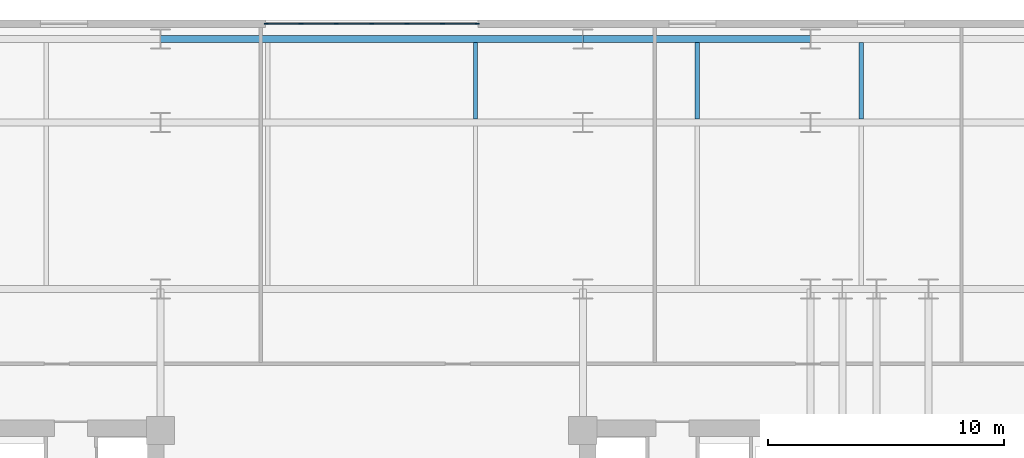
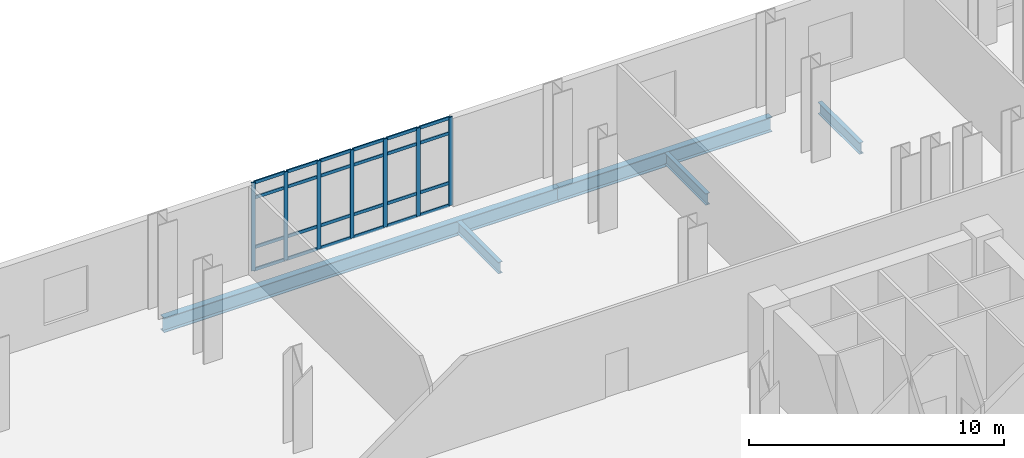
# One storey, part 5 of 13: 31 members, 5 beams, 1 element without a shape of its own.
"""IFC4 building model written with IfcOpenShell, lengths in metres."""

from ifc_helpers import new_model, si_unit, direction, frame, origin, origin_2d, place, context, subcontext, project, spatial, rectangle, i_section, extrude, material, layer, layer_set, material_profile, profile_set, type_object, element, aggregate, save


model = new_model("IFC4")

# Units and contexts
model_context = context("Model", 3, precision=1e-05, world=origin(), true_north=direction((0.0, 1.0)))
body_context = subcontext(model_context, "Body", "Model", "MODEL_VIEW")
ifc_project = project(units=[si_unit("LENGTHUNIT", "METRE"), si_unit("AREAUNIT", "SQUARE_METRE"), si_unit("VOLUMEUNIT", "CUBIC_METRE"), si_unit("PLANEANGLEUNIT", "RADIAN"), si_unit("MASSUNIT", "GRAM", prefix="KILO")], contexts=[model_context])

# Site, building, storey
site_placement = place(None, origin())
site = spatial("IfcSite", under=ifc_project, at=site_placement, CompositionType="ELEMENT")
building_placement = place(site_placement, origin())
building = spatial("IfcBuilding", under=site, at=building_placement, Name="Velakula Bourse", CompositionType="ELEMENT")
storey_placement = place(building_placement, frame((0.0, 0.0, 9.60009765625)))
storey = spatial("IfcBuildingStorey", under=building, at=storey_placement, Name="L02", CompositionType="ELEMENT", Elevation=9.60009765625)

# Beams
ifc_material_1 = material(Name="Steel IS 2062 Grade 350 (E350)", Category="steel")
ifc_material_profile_1 = material_profile(ifc_material_1, i_section(OverallWidth=0.300048828125, OverallDepth=0.699951171875, WebThickness=0.01611328125, FlangeThickness=0.02490234375, at=origin_2d()), Name="Steel IS 2062 Grade 350 (E350)")
ifc_profile_set_1 = profile_set([ifc_material_profile_1], Name="Steel IS 2062 Grade 350 (E350)")
beam_type_1 = type_object("IfcBeamType", Name="BM-POD-700", PredefinedType="BEAM", material=ifc_profile_set_1)
beam_1_placement = place(storey_placement, frame((-8.949951171875, 25.199951171875, -0.60009765625), z_axis=(1.0, 0.0, 0.0), x_axis=(0.0, 1.0, 0.0)))
element("IfcBeam", 1, at=beam_1_placement, inside=storey, type_object=beam_type_1, Name="L02 Podium E-W Girder 60", PredefinedType="BEAM", context=body_context, shape_type="SweptSolid", body=[
    extrude(i_section(OverallWidth=0.300048828125, OverallDepth=0.699951171875, WebThickness=0.01611328125, FlangeThickness=0.02490234375, at=origin_2d()), origin(), (0.0, 0.0, 1.0), 17.89990234375),
])
beam_2_placement = place(storey_placement, frame((8.949951171875, 25.199951171875, -0.60009765625), z_axis=(1.0, 0.0, 0.0), x_axis=(0.0, 1.0, 0.0)))
element("IfcBeam", 2, at=beam_2_placement, inside=storey, type_object=beam_type_1, Name="L02 Podium E-W Girder 61", PredefinedType="BEAM", context=body_context, shape_type="SweptSolid", body=[
    extrude(i_section(OverallWidth=0.300048828125, OverallDepth=0.699951171875, WebThickness=0.01611328125, FlangeThickness=0.02490234375, at=origin_2d()), origin(), (0.0, 0.0, 1.0), 9.650146484375),
])
ifc_material_profile_2 = material_profile(ifc_material_1, i_section(OverallWidth=0.18994140625, OverallDepth=0.550048828125, WebThickness=0.01123046875, FlangeThickness=0.019287109375, at=origin_2d()), Name="Steel IS 2062 Grade 350 (E350)")
ifc_profile_set_2 = profile_set([ifc_material_profile_2], Name="Steel IS 2062 Grade 350 (E350)")
beam_type_2 = type_object("IfcBeamType", Name="JST-POD-550", PredefinedType="JOIST", material=ifc_profile_set_2)
for number, where, z_axis, x_axis, name in (
    (3, (4.39990234375, 21.800048828125, -0.525146484375), (0.0, 1.0, 0.0), (-1.0, 0.0, 0.0), "L02 Station Podium Floor Joist 20"),
    (4, (13.800048828125, 21.800048828125, -0.525146484375), (0.0, 1.0, 0.0), (-1.0, 0.0, 0.0), "L02 Station Podium Floor Joist 24"),
    (5, (20.75, 21.800048828125, -0.525146484375), (0.0, 1.0, 0.0), (-1.0, 0.0, 0.0), "L02 Station Podium Floor Joist 28"),
):
    element("IfcBeam", number, at=place(storey_placement, frame(where, z_axis=z_axis, x_axis=x_axis)), inside=storey, type_object=beam_type_2, Name=name, PredefinedType="JOIST", context=body_context, shape_type="SweptSolid", body=[
        extrude(i_section(OverallWidth=0.18994140625, OverallDepth=0.550048828125, WebThickness=0.01123046875, FlangeThickness=0.019287109375, at=origin_2d()), origin(), (0.0, 0.0, 1.0), 3.25),
    ])

# Curtain wall, members
ifc_material_2 = material(Name="Anodised bronze architectural aluminium", Category="aluminium")
ifc_layer = layer(ifc_material_2, 0.179931640625, Name="Anodised bronze architectural aluminium", Category="aluminium")
ifc_layer_set = layer_set([ifc_layer], Name="Anodised bronze architectural aluminium")
curtain_wall_type = type_object("IfcCurtainWallType", Name="CW-PD1", PredefinedType="NOTDEFINED", material=ifc_layer_set)
curtain_wall_placement = place(storey_placement, origin())
curtain_wall = element("IfcCurtainWall", 6, at=curtain_wall_placement, inside=storey, type_object=curtain_wall_type, Name="L02 North Station Galleria Curtain Wall 2", PredefinedType="NOTDEFINED")
ifc_material_profile_3 = material_profile(ifc_material_2, rectangle(XDim=0.06005859375, YDim=0.179931640625, at=origin_2d()), Name="Anodised bronze architectural aluminium")
ifc_profile_set_3 = profile_set([ifc_material_profile_3], Name="Anodised bronze architectural aluminium")
member_type_1 = type_object("IfcMemberType", Name="MUL-CW-PD1", PredefinedType="MULLION", material=ifc_profile_set_3)
member_1_placement = place(storey_placement, frame((-4.469970703125, 25.840087890625, 0.0), z_axis=(0.0, 0.0, 1.0), x_axis=(0.0, 1.0, 0.0)))
member_1 = element("IfcMember", 7, at=member_1_placement, type_object=member_type_1, Name="CW-PD1 mullion 1", PredefinedType="MULLION", context=body_context, shape_type="SweptSolid", body=[
    extrude(rectangle(XDim=0.06005859375, YDim=0.179931640625, at=origin_2d()), origin(), (0.0, 0.0, 1.0), 4.22998046875),
])
member_2_placement = place(storey_placement, frame((-3.0, 25.840087890625, 0.0), z_axis=(0.0, 0.0, 1.0), x_axis=(0.0, 1.0, 0.0)))
member_2 = element("IfcMember", 8, at=member_2_placement, type_object=member_type_1, Name="CW-PD1 mullion 2", PredefinedType="MULLION", context=body_context, shape_type="SweptSolid", body=[
    extrude(rectangle(XDim=0.06005859375, YDim=0.179931640625, at=origin_2d()), origin(), (0.0, 0.0, 1.0), 4.22998046875),
])
member_3_placement = place(storey_placement, frame((-1.5, 25.840087890625, 0.0), z_axis=(0.0, 0.0, 1.0), x_axis=(0.0, 1.0, 0.0)))
member_3 = element("IfcMember", 9, at=member_3_placement, type_object=member_type_1, Name="CW-PD1 mullion 3", PredefinedType="MULLION", context=body_context, shape_type="SweptSolid", body=[
    extrude(rectangle(XDim=0.06005859375, YDim=0.179931640625, at=origin_2d()), origin(), (0.0, 0.0, 1.0), 4.22998046875),
])
member_4_placement = place(storey_placement, frame((0.0, 25.840087890625, 0.0), z_axis=(0.0, 0.0, 1.0), x_axis=(0.0, 1.0, 0.0)))
member_4 = element("IfcMember", 10, at=member_4_placement, type_object=member_type_1, Name="CW-PD1 mullion 4", PredefinedType="MULLION", context=body_context, shape_type="SweptSolid", body=[
    extrude(rectangle(XDim=0.06005859375, YDim=0.179931640625, at=origin_2d()), origin(), (0.0, 0.0, 1.0), 4.22998046875),
])
member_5_placement = place(storey_placement, frame((1.5, 25.840087890625, 0.0), z_axis=(0.0, 0.0, 1.0), x_axis=(0.0, 1.0, 0.0)))
member_5 = element("IfcMember", 11, at=member_5_placement, type_object=member_type_1, Name="CW-PD1 mullion 5", PredefinedType="MULLION", context=body_context, shape_type="SweptSolid", body=[
    extrude(rectangle(XDim=0.06005859375, YDim=0.179931640625, at=origin_2d()), origin(), (0.0, 0.0, 1.0), 4.22998046875),
])
member_6_placement = place(storey_placement, frame((3.0, 25.840087890625, 0.0), z_axis=(0.0, 0.0, 1.0), x_axis=(0.0, 1.0, 0.0)))
member_6 = element("IfcMember", 12, at=member_6_placement, type_object=member_type_1, Name="CW-PD1 mullion 6", PredefinedType="MULLION", context=body_context, shape_type="SweptSolid", body=[
    extrude(rectangle(XDim=0.06005859375, YDim=0.179931640625, at=origin_2d()), origin(), (0.0, 0.0, 1.0), 4.22998046875),
])
member_7_placement = place(storey_placement, frame((4.469970703125, 25.840087890625, 0.0), z_axis=(0.0, 0.0, 1.0), x_axis=(0.0, 1.0, 0.0)))
member_7 = element("IfcMember", 13, at=member_7_placement, type_object=member_type_1, Name="CW-PD1 mullion 7", PredefinedType="MULLION", context=body_context, shape_type="SweptSolid", body=[
    extrude(rectangle(XDim=0.06005859375, YDim=0.179931640625, at=origin_2d()), origin(), (0.0, 0.0, 1.0), 4.22998046875),
])
ifc_material_profile_4 = material_profile(ifc_material_2, rectangle(XDim=0.06005859375, YDim=0.14990234375, at=origin_2d()), Name="Anodised bronze architectural aluminium")
ifc_profile_set_4 = profile_set([ifc_material_profile_4], Name="Anodised bronze architectural aluminium")
member_type_2 = type_object("IfcMemberType", Name="TRN-CW-PD1", PredefinedType="USERDEFINED", material=ifc_profile_set_4)
member_8_placement = place(storey_placement, frame((-4.43994140625, 25.840087890625, 0.02978515625), z_axis=(1.0, 0.0, 0.0), x_axis=(0.0, 1.0, 0.0)))
member_8 = element("IfcMember", 14, at=member_8_placement, type_object=member_type_2, Name="CW-PD1 transom 1.1", ObjectType="TRANSOM", PredefinedType="USERDEFINED", context=body_context, shape_type="SweptSolid", body=[
    extrude(rectangle(XDim=0.06005859375, YDim=0.14990234375, at=origin_2d()), origin(), (0.0, 0.0, 1.0), 1.409912109375),
])
member_9_placement = place(storey_placement, frame((-4.43994140625, 25.840087890625, 1.099853515625), z_axis=(1.0, 0.0, 0.0), x_axis=(0.0, 1.0, 0.0)))
member_9 = element("IfcMember", 15, at=member_9_placement, type_object=member_type_2, Name="CW-PD1 transom 1.2", ObjectType="TRANSOM", PredefinedType="USERDEFINED", context=body_context, shape_type="SweptSolid", body=[
    extrude(rectangle(XDim=0.06005859375, YDim=0.14990234375, at=origin_2d()), origin(), (0.0, 0.0, 1.0), 1.409912109375),
])
member_10_placement = place(storey_placement, frame((-4.43994140625, 25.840087890625, 3.47998046875), z_axis=(1.0, 0.0, 0.0), x_axis=(0.0, 1.0, 0.0)))
member_10 = element("IfcMember", 16, at=member_10_placement, type_object=member_type_2, Name="CW-PD1 transom 1.3", ObjectType="TRANSOM", PredefinedType="USERDEFINED", context=body_context, shape_type="SweptSolid", body=[
    extrude(rectangle(XDim=0.06005859375, YDim=0.14990234375, at=origin_2d()), origin(), (0.0, 0.0, 1.0), 1.409912109375),
])
member_11_placement = place(storey_placement, frame((-4.43994140625, 25.840087890625, 4.199951171875), z_axis=(1.0, 0.0, 0.0), x_axis=(0.0, 1.0, 0.0)))
member_11 = element("IfcMember", 17, at=member_11_placement, type_object=member_type_2, Name="CW-PD1 transom 1.4", ObjectType="TRANSOM", PredefinedType="USERDEFINED", context=body_context, shape_type="SweptSolid", body=[
    extrude(rectangle(XDim=0.06005859375, YDim=0.14990234375, at=origin_2d()), origin(), (0.0, 0.0, 1.0), 1.409912109375),
])
member_12_placement = place(storey_placement, frame((-2.969970703125, 25.840087890625, 0.02978515625), z_axis=(1.0, 0.0, 0.0), x_axis=(0.0, 1.0, 0.0)))
member_12 = element("IfcMember", 18, at=member_12_placement, type_object=member_type_2, Name="CW-PD1 transom 2.1", ObjectType="TRANSOM", PredefinedType="USERDEFINED", context=body_context, shape_type="SweptSolid", body=[
    extrude(rectangle(XDim=0.06005859375, YDim=0.14990234375, at=origin_2d()), origin(), (0.0, 0.0, 1.0), 1.43994140625),
])
member_13_placement = place(storey_placement, frame((-2.969970703125, 25.840087890625, 1.099853515625), z_axis=(1.0, 0.0, 0.0), x_axis=(0.0, 1.0, 0.0)))
member_13 = element("IfcMember", 19, at=member_13_placement, type_object=member_type_2, Name="CW-PD1 transom 2.2", ObjectType="TRANSOM", PredefinedType="USERDEFINED", context=body_context, shape_type="SweptSolid", body=[
    extrude(rectangle(XDim=0.06005859375, YDim=0.14990234375, at=origin_2d()), origin(), (0.0, 0.0, 1.0), 1.43994140625),
])
member_14_placement = place(storey_placement, frame((-2.969970703125, 25.840087890625, 3.47998046875), z_axis=(1.0, 0.0, 0.0), x_axis=(0.0, 1.0, 0.0)))
member_14 = element("IfcMember", 20, at=member_14_placement, type_object=member_type_2, Name="CW-PD1 transom 2.3", ObjectType="TRANSOM", PredefinedType="USERDEFINED", context=body_context, shape_type="SweptSolid", body=[
    extrude(rectangle(XDim=0.06005859375, YDim=0.14990234375, at=origin_2d()), origin(), (0.0, 0.0, 1.0), 1.43994140625),
])
member_15_placement = place(storey_placement, frame((-2.969970703125, 25.840087890625, 4.199951171875), z_axis=(1.0, 0.0, 0.0), x_axis=(0.0, 1.0, 0.0)))
member_15 = element("IfcMember", 21, at=member_15_placement, type_object=member_type_2, Name="CW-PD1 transom 2.4", ObjectType="TRANSOM", PredefinedType="USERDEFINED", context=body_context, shape_type="SweptSolid", body=[
    extrude(rectangle(XDim=0.06005859375, YDim=0.14990234375, at=origin_2d()), origin(), (0.0, 0.0, 1.0), 1.43994140625),
])
member_16_placement = place(storey_placement, frame((-1.469970703125, 25.840087890625, 0.02978515625), z_axis=(1.0, 0.0, 0.0), x_axis=(0.0, 1.0, 0.0)))
member_16 = element("IfcMember", 22, at=member_16_placement, type_object=member_type_2, Name="CW-PD1 transom 3.1", ObjectType="TRANSOM", PredefinedType="USERDEFINED", context=body_context, shape_type="SweptSolid", body=[
    extrude(rectangle(XDim=0.06005859375, YDim=0.14990234375, at=origin_2d()), origin(), (0.0, 0.0, 1.0), 1.43994140625),
])
member_17_placement = place(storey_placement, frame((-1.469970703125, 25.840087890625, 1.099853515625), z_axis=(1.0, 0.0, 0.0), x_axis=(0.0, 1.0, 0.0)))
member_17 = element("IfcMember", 23, at=member_17_placement, type_object=member_type_2, Name="CW-PD1 transom 3.2", ObjectType="TRANSOM", PredefinedType="USERDEFINED", context=body_context, shape_type="SweptSolid", body=[
    extrude(rectangle(XDim=0.06005859375, YDim=0.14990234375, at=origin_2d()), origin(), (0.0, 0.0, 1.0), 1.43994140625),
])
member_18_placement = place(storey_placement, frame((-1.469970703125, 25.840087890625, 3.47998046875), z_axis=(1.0, 0.0, 0.0), x_axis=(0.0, 1.0, 0.0)))
member_18 = element("IfcMember", 24, at=member_18_placement, type_object=member_type_2, Name="CW-PD1 transom 3.3", ObjectType="TRANSOM", PredefinedType="USERDEFINED", context=body_context, shape_type="SweptSolid", body=[
    extrude(rectangle(XDim=0.06005859375, YDim=0.14990234375, at=origin_2d()), origin(), (0.0, 0.0, 1.0), 1.43994140625),
])
member_19_placement = place(storey_placement, frame((-1.469970703125, 25.840087890625, 4.199951171875), z_axis=(1.0, 0.0, 0.0), x_axis=(0.0, 1.0, 0.0)))
member_19 = element("IfcMember", 25, at=member_19_placement, type_object=member_type_2, Name="CW-PD1 transom 3.4", ObjectType="TRANSOM", PredefinedType="USERDEFINED", context=body_context, shape_type="SweptSolid", body=[
    extrude(rectangle(XDim=0.06005859375, YDim=0.14990234375, at=origin_2d()), origin(), (0.0, 0.0, 1.0), 1.43994140625),
])
member_20_placement = place(storey_placement, frame((0.030029296875, 25.840087890625, 0.02978515625), z_axis=(1.0, 0.0, 0.0), x_axis=(0.0, 1.0, 0.0)))
member_20 = element("IfcMember", 26, at=member_20_placement, type_object=member_type_2, Name="CW-PD1 transom 4.1", ObjectType="TRANSOM", PredefinedType="USERDEFINED", context=body_context, shape_type="SweptSolid", body=[
    extrude(rectangle(XDim=0.06005859375, YDim=0.14990234375, at=origin_2d()), origin(), (0.0, 0.0, 1.0), 1.43994140625),
])
member_21_placement = place(storey_placement, frame((0.030029296875, 25.840087890625, 1.099853515625), z_axis=(1.0, 0.0, 0.0), x_axis=(0.0, 1.0, 0.0)))
member_21 = element("IfcMember", 27, at=member_21_placement, type_object=member_type_2, Name="CW-PD1 transom 4.2", ObjectType="TRANSOM", PredefinedType="USERDEFINED", context=body_context, shape_type="SweptSolid", body=[
    extrude(rectangle(XDim=0.06005859375, YDim=0.14990234375, at=origin_2d()), origin(), (0.0, 0.0, 1.0), 1.43994140625),
])
member_22_placement = place(storey_placement, frame((0.030029296875, 25.840087890625, 3.47998046875), z_axis=(1.0, 0.0, 0.0), x_axis=(0.0, 1.0, 0.0)))
member_22 = element("IfcMember", 28, at=member_22_placement, type_object=member_type_2, Name="CW-PD1 transom 4.3", ObjectType="TRANSOM", PredefinedType="USERDEFINED", context=body_context, shape_type="SweptSolid", body=[
    extrude(rectangle(XDim=0.06005859375, YDim=0.14990234375, at=origin_2d()), origin(), (0.0, 0.0, 1.0), 1.43994140625),
])
member_23_placement = place(storey_placement, frame((0.030029296875, 25.840087890625, 4.199951171875), z_axis=(1.0, 0.0, 0.0), x_axis=(0.0, 1.0, 0.0)))
member_23 = element("IfcMember", 29, at=member_23_placement, type_object=member_type_2, Name="CW-PD1 transom 4.4", ObjectType="TRANSOM", PredefinedType="USERDEFINED", context=body_context, shape_type="SweptSolid", body=[
    extrude(rectangle(XDim=0.06005859375, YDim=0.14990234375, at=origin_2d()), origin(), (0.0, 0.0, 1.0), 1.43994140625),
])
member_24_placement = place(storey_placement, frame((1.530029296875, 25.840087890625, 0.02978515625), z_axis=(1.0, 0.0, 0.0), x_axis=(0.0, 1.0, 0.0)))
member_24 = element("IfcMember", 30, at=member_24_placement, type_object=member_type_2, Name="CW-PD1 transom 5.1", ObjectType="TRANSOM", PredefinedType="USERDEFINED", context=body_context, shape_type="SweptSolid", body=[
    extrude(rectangle(XDim=0.06005859375, YDim=0.14990234375, at=origin_2d()), origin(), (0.0, 0.0, 1.0), 1.43994140625),
])
member_25_placement = place(storey_placement, frame((1.530029296875, 25.840087890625, 1.099853515625), z_axis=(1.0, 0.0, 0.0), x_axis=(0.0, 1.0, 0.0)))
member_25 = element("IfcMember", 31, at=member_25_placement, type_object=member_type_2, Name="CW-PD1 transom 5.2", ObjectType="TRANSOM", PredefinedType="USERDEFINED", context=body_context, shape_type="SweptSolid", body=[
    extrude(rectangle(XDim=0.06005859375, YDim=0.14990234375, at=origin_2d()), origin(), (0.0, 0.0, 1.0), 1.43994140625),
])
member_26_placement = place(storey_placement, frame((1.530029296875, 25.840087890625, 3.47998046875), z_axis=(1.0, 0.0, 0.0), x_axis=(0.0, 1.0, 0.0)))
member_26 = element("IfcMember", 32, at=member_26_placement, type_object=member_type_2, Name="CW-PD1 transom 5.3", ObjectType="TRANSOM", PredefinedType="USERDEFINED", context=body_context, shape_type="SweptSolid", body=[
    extrude(rectangle(XDim=0.06005859375, YDim=0.14990234375, at=origin_2d()), origin(), (0.0, 0.0, 1.0), 1.43994140625),
])
member_27_placement = place(storey_placement, frame((1.530029296875, 25.840087890625, 4.199951171875), z_axis=(1.0, 0.0, 0.0), x_axis=(0.0, 1.0, 0.0)))
member_27 = element("IfcMember", 33, at=member_27_placement, type_object=member_type_2, Name="CW-PD1 transom 5.4", ObjectType="TRANSOM", PredefinedType="USERDEFINED", context=body_context, shape_type="SweptSolid", body=[
    extrude(rectangle(XDim=0.06005859375, YDim=0.14990234375, at=origin_2d()), origin(), (0.0, 0.0, 1.0), 1.43994140625),
])
member_28_placement = place(storey_placement, frame((3.030029296875, 25.840087890625, 0.02978515625), z_axis=(1.0, 0.0, 0.0), x_axis=(0.0, 1.0, 0.0)))
member_28 = element("IfcMember", 34, at=member_28_placement, type_object=member_type_2, Name="CW-PD1 transom 6.1", ObjectType="TRANSOM", PredefinedType="USERDEFINED", context=body_context, shape_type="SweptSolid", body=[
    extrude(rectangle(XDim=0.06005859375, YDim=0.14990234375, at=origin_2d()), origin(), (0.0, 0.0, 1.0), 1.409912109375),
])
member_29_placement = place(storey_placement, frame((3.030029296875, 25.840087890625, 1.099853515625), z_axis=(1.0, 0.0, 0.0), x_axis=(0.0, 1.0, 0.0)))
member_29 = element("IfcMember", 35, at=member_29_placement, type_object=member_type_2, Name="CW-PD1 transom 6.2", ObjectType="TRANSOM", PredefinedType="USERDEFINED", context=body_context, shape_type="SweptSolid", body=[
    extrude(rectangle(XDim=0.06005859375, YDim=0.14990234375, at=origin_2d()), origin(), (0.0, 0.0, 1.0), 1.409912109375),
])
member_30_placement = place(storey_placement, frame((3.030029296875, 25.840087890625, 3.47998046875), z_axis=(1.0, 0.0, 0.0), x_axis=(0.0, 1.0, 0.0)))
member_30 = element("IfcMember", 36, at=member_30_placement, type_object=member_type_2, Name="CW-PD1 transom 6.3", ObjectType="TRANSOM", PredefinedType="USERDEFINED", context=body_context, shape_type="SweptSolid", body=[
    extrude(rectangle(XDim=0.06005859375, YDim=0.14990234375, at=origin_2d()), origin(), (0.0, 0.0, 1.0), 1.409912109375),
])
member_31_placement = place(storey_placement, frame((3.030029296875, 25.840087890625, 4.199951171875), z_axis=(1.0, 0.0, 0.0), x_axis=(0.0, 1.0, 0.0)))
member_31 = element("IfcMember", 37, at=member_31_placement, type_object=member_type_2, Name="CW-PD1 transom 6.4", ObjectType="TRANSOM", PredefinedType="USERDEFINED", context=body_context, shape_type="SweptSolid", body=[
    extrude(rectangle(XDim=0.06005859375, YDim=0.14990234375, at=origin_2d()), origin(), (0.0, 0.0, 1.0), 1.409912109375),
])
aggregate(curtain_wall, [member_1, member_2, member_3, member_4, member_5, member_6, member_7, member_8, member_9, member_10, member_11, member_12, member_13, member_14, member_15, member_16, member_17, member_18, member_19, member_20, member_21, member_22, member_23, member_24, member_25, member_26, member_27, member_28, member_29, member_30, member_31])

save(model, "model.ifc")
